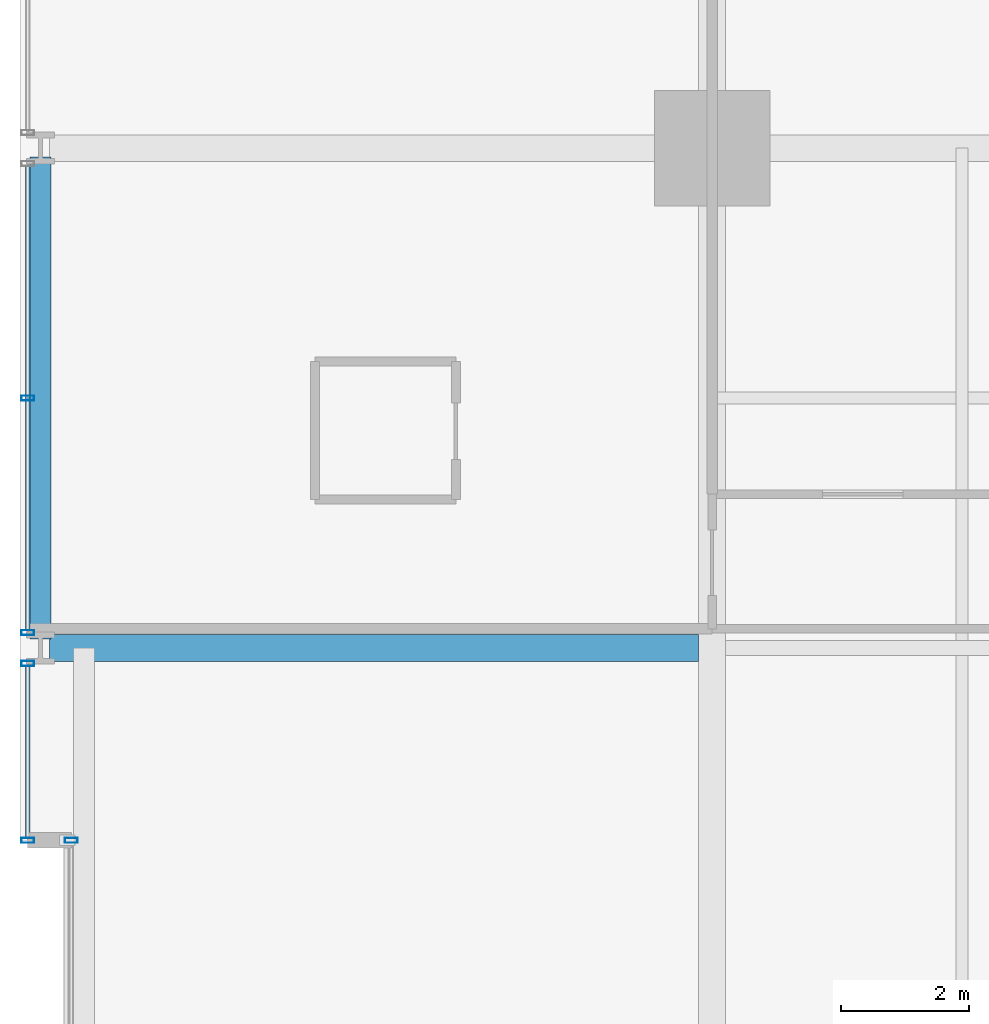
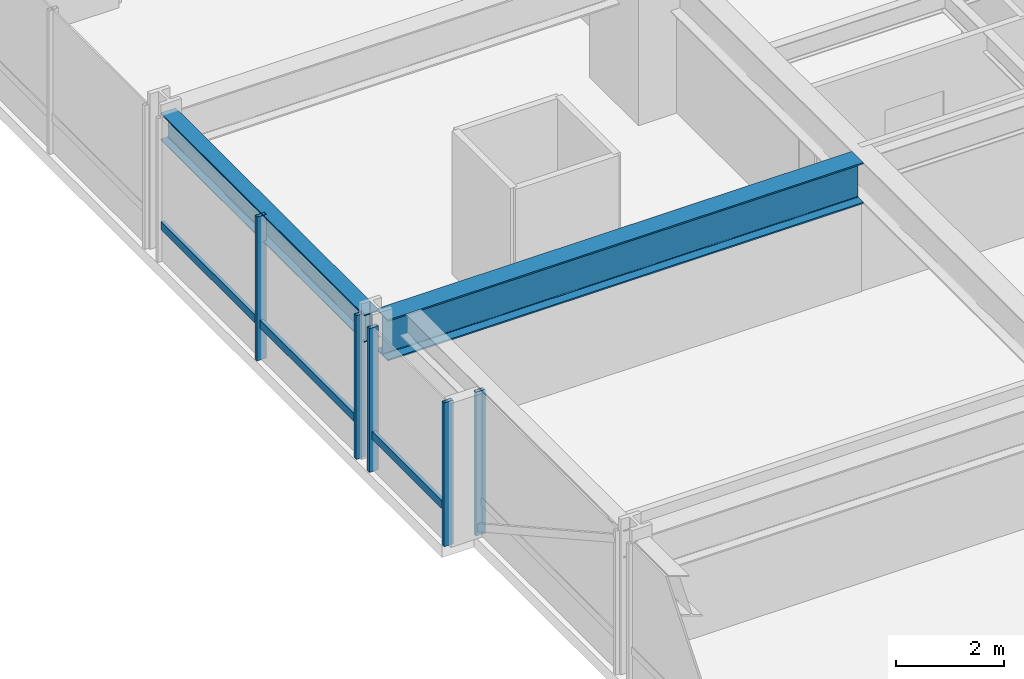
# One storey, part 17 of 38: 7 members, 2 beams, 3 elements without a shape of their own.
"""IFC4 building model written with IfcOpenShell, lengths in metres."""

from ifc_helpers import new_model, si_unit, direction, frame, origin, origin_2d, place, context, subcontext, project, spatial, hollow_rectangle, i_section, extrude, material, layer, layer_set, material_profile, profile_set, type_object, element, aggregate, save


model = new_model("IFC4")

# Units and contexts
model_context = context("Model", 3, precision=1e-05, world=origin(), true_north=direction((0.0, 1.0)))
body_context = subcontext(model_context, "Body", "Model", "MODEL_VIEW")
ifc_project = project(units=[si_unit("LENGTHUNIT", "METRE"), si_unit("AREAUNIT", "SQUARE_METRE"), si_unit("VOLUMEUNIT", "CUBIC_METRE"), si_unit("PLANEANGLEUNIT", "RADIAN"), si_unit("MASSUNIT", "GRAM", prefix="KILO")], contexts=[model_context])

# Site, building, storey
site_placement = place(None, origin())
site = spatial("IfcSite", under=ifc_project, at=site_placement, CompositionType="ELEMENT")
building_placement = place(site_placement, origin())
building = spatial("IfcBuilding", under=site, at=building_placement, Name="Drelvath Grand Hotel", CompositionType="ELEMENT")
storey_placement = place(building_placement, frame((0.0, 0.0, 50.699951171875)))
storey = spatial("IfcBuildingStorey", under=building, at=storey_placement, Name="L11", CompositionType="ELEMENT", Elevation=50.699951171875)

# Curtain wall, member
ifc_material_1 = material(Name="Warm Bronze Anodised Aluminium Frame", Category="aluminium")
ifc_layer = layer(ifc_material_1, 0.199951171875)
ifc_layer_set = layer_set([ifc_layer], Name="Warm Bronze Anodised Aluminium Frame")
curtain_wall_type = type_object("IfcCurtainWallType", Name="Stick Curtain Wall CW-02 Warm Bronze Low-Rise", PredefinedType="NOTDEFINED", material=ifc_layer_set)
curtain_wall_1_placement = place(storey_placement, origin())
curtain_wall_1 = element("IfcCurtainWall", 1, at=curtain_wall_1_placement, inside=storey, type_object=curtain_wall_type, Name="L11 CW-02 Curtain Wall CW02-L11-WN1", PredefinedType="NOTDEFINED")
ifc_material_profile_1 = material_profile(ifc_material_1, hollow_rectangle(XDim=0.074951171875, YDim=0.179931640625, WallThickness=0.0048828125, at=origin_2d()), Name="HSS180X75X5")
ifc_profile_set_1 = profile_set([ifc_material_profile_1], Name="Warm Bronze Anodised Aluminium Frame")
member_type_1 = type_object("IfcMemberType", Name="Curtain Wall Horizontal Transom CW-02 HSS180X75X5", PredefinedType="USERDEFINED", material=ifc_profile_set_1)
member_1_placement = place(storey_placement, frame((-26.8798828125, 32.43994140625, 0.81005859375), z_axis=(0.0, 1.0, 0.0), x_axis=(-1.0, 0.0, 0.0)))
member_1 = element("IfcMember", 2, at=member_1_placement, type_object=member_type_1, Name="CW02-L11-WN1 Sill Transom", ObjectType="TRANSOM", PredefinedType="USERDEFINED", context=body_context, shape_type="SweptSolid", body=[
    extrude(hollow_rectangle(XDim=0.074951171875, YDim=0.179931640625, WallThickness=0.0048828125, at=origin_2d()), origin(), (0.0, 0.0, 1.0), 2.67919921875),
])

curtain_wall_2_placement = place(storey_placement, origin())
curtain_wall_2 = element("IfcCurtainWall", 3, at=curtain_wall_2_placement, inside=storey, type_object=curtain_wall_type, Name="L11 CW-02 Curtain Wall CW02-L11-WN2", PredefinedType="NOTDEFINED")
member_2_placement = place(storey_placement, frame((-26.8798828125, 35.680908203125, 0.81005859375), z_axis=(0.0, 1.0, 0.0), x_axis=(-1.0, 0.0, 0.0)))
member_2 = element("IfcMember", 4, at=member_2_placement, type_object=member_type_1, Name="CW02-L11-WN2 Sill Transom", ObjectType="TRANSOM", PredefinedType="USERDEFINED", context=body_context, shape_type="SweptSolid", body=[
    extrude(hollow_rectangle(XDim=0.074951171875, YDim=0.179931640625, WallThickness=0.0048828125, at=origin_2d()), origin(), (0.0, 0.0, 1.0), 7.23828125),
])

curtain_wall_3_placement = place(storey_placement, origin())
curtain_wall_3 = element("IfcCurtainWall", 5, at=curtain_wall_3_placement, inside=storey, type_object=curtain_wall_type, Name="L11 CW-02 Curtain Wall CW02-L11-WM2", PredefinedType="NOTDEFINED")
ifc_material_profile_2 = material_profile(ifc_material_1, hollow_rectangle(XDim=0.080078125, YDim=0.199951171875, WallThickness=0.0048828125, at=origin_2d()), Name="HSS200X80X5")
ifc_profile_set_2 = profile_set([ifc_material_profile_2], Name="Warm Bronze Anodised Aluminium Frame")
member_type_2 = type_object("IfcMemberType", Name="Curtain Wall Vertical Mullion CW-02 HSS200X80X5", PredefinedType="MULLION", material=ifc_profile_set_2)
member_3_placement = place(storey_placement, frame((-26.199951171875, 32.39990234375, 0.0), z_axis=(0.0, 0.0, 1.0), x_axis=(0.0, 1.0, 0.0)))
member_3 = element("IfcMember", 6, at=member_3_placement, type_object=member_type_2, Name="CW02-L11-WM2 Mullion 2", PredefinedType="MULLION", context=body_context, shape_type="SweptSolid", body=[
    extrude(hollow_rectangle(XDim=0.080078125, YDim=0.199951171875, WallThickness=0.0048828125, at=origin_2d()), origin(), (0.0, 0.0, 1.0), 3.239990234375),
])
aggregate(curtain_wall_3, [member_3])

# Member
member_4_placement = place(storey_placement, frame((-26.8798828125, 32.39990234375, 0.0), z_axis=(0.0, 0.0, 1.0), x_axis=(0.0, 1.0, 0.0)))
member_4 = element("IfcMember", 7, at=member_4_placement, type_object=member_type_2, Name="CW02-L11-WN1 Mullion 1", PredefinedType="MULLION", context=body_context, shape_type="SweptSolid", body=[
    extrude(hollow_rectangle(XDim=0.080078125, YDim=0.199951171875, WallThickness=0.0048828125, at=origin_2d()), origin(), (0.0, 0.0, 1.0), 3.239990234375),
])

member_5_placement = place(storey_placement, frame((-26.8798828125, 35.1591796875, 0.0), z_axis=(0.0, 0.0, 1.0), x_axis=(0.0, 1.0, 0.0)))
member_5 = element("IfcMember", 8, at=member_5_placement, type_object=member_type_2, Name="CW02-L11-WN1 Mullion 2", PredefinedType="MULLION", context=body_context, shape_type="SweptSolid", body=[
    extrude(hollow_rectangle(XDim=0.080078125, YDim=0.199951171875, WallThickness=0.0048828125, at=origin_2d()), origin(), (0.0, 0.0, 1.0), 3.239990234375),
])

aggregate(curtain_wall_1, [member_4, member_5, member_1])

member_6_placement = place(storey_placement, frame((-26.8798828125, 35.640869140625, 0.0), z_axis=(0.0, 0.0, 1.0), x_axis=(0.0, 1.0, 0.0)))
member_6 = element("IfcMember", 9, at=member_6_placement, type_object=member_type_2, Name="CW02-L11-WN2 Mullion 1", PredefinedType="MULLION", context=body_context, shape_type="SweptSolid", body=[
    extrude(hollow_rectangle(XDim=0.080078125, YDim=0.199951171875, WallThickness=0.0048828125, at=origin_2d()), origin(), (0.0, 0.0, 1.0), 3.239990234375),
])

member_7_placement = place(storey_placement, frame((-26.8798828125, 39.300048828125, 0.0), z_axis=(0.0, 0.0, 1.0), x_axis=(0.0, 1.0, 0.0)))
member_7 = element("IfcMember", 10, at=member_7_placement, type_object=member_type_2, Name="CW02-L11-WN2 Mullion 2", PredefinedType="MULLION", context=body_context, shape_type="SweptSolid", body=[
    extrude(hollow_rectangle(XDim=0.080078125, YDim=0.199951171875, WallThickness=0.0048828125, at=origin_2d()), origin(), (0.0, 0.0, 1.0), 3.239990234375),
])

aggregate(curtain_wall_2, [member_6, member_7, member_2])

# Beams
ifc_material_2 = material(Name="Steel ASTM A992 Gr 50", Category="steel")
ifc_material_profile_3 = material_profile(ifc_material_2, i_section(OverallWidth=0.323974609375, OverallDepth=0.611083984375, WebThickness=0.0126953125, FlangeThickness=0.01904296875, FilletRadius=0.02197265625, at=origin_2d()), Name="W24X104")
ifc_profile_set_3 = profile_set([ifc_material_profile_3], Name="Steel ASTM A992 Gr 50")
beam_type_1 = type_object("IfcBeamType", Name="Perimeter Spandrel Beam W24X104", PredefinedType="SPANDREL", material=ifc_profile_set_3)
beam_1_placement = place(storey_placement, frame((-26.679931640625, 35.5400390625, 2.9345703125), z_axis=(0.0, 1.0, 0.0), x_axis=(-1.0, 0.0, 0.0)))
element("IfcBeam", 11, at=beam_1_placement, inside=storey, type_object=beam_type_1, Name="L11 Spandrel West N", PredefinedType="SPANDREL", context=body_context, shape_type="SweptSolid", body=[
    extrude(i_section(OverallWidth=0.323974609375, OverallDepth=0.611083984375, WebThickness=0.0126953125, FlangeThickness=0.01904296875, FilletRadius=0.02197265625, at=origin_2d()), origin(), (0.0, 0.0, 1.0), 7.52001953125),
])
ifc_material_profile_4 = material_profile(ifc_material_2, i_section(OverallWidth=0.418212890625, OverallDepth=0.926513671875, WebThickness=0.019287109375, FlangeThickness=0.031982421875, FilletRadius=0.028076171875, at=origin_2d()), Name="W36X231")
ifc_profile_set_4 = profile_set([ifc_material_profile_4], Name="Steel ASTM A992 Gr 50")
beam_type_2 = type_object("IfcBeamType", Name="Primary Floor Girder W36X231", PredefinedType="BEAM", material=ifc_profile_set_4)
beam_2_placement = place(storey_placement, frame((-26.5400390625, 35.39990234375, 2.77685546875), z_axis=(1.0, 0.0, 0.0), x_axis=(0.0, 1.0, 0.0)))
element("IfcBeam", 12, at=beam_2_placement, inside=storey, type_object=beam_type_2, Name="L11 West Wing Girder F", PredefinedType="BEAM", context=body_context, shape_type="SweptSolid", body=[
    extrude(i_section(OverallWidth=0.418212890625, OverallDepth=0.926513671875, WebThickness=0.019287109375, FlangeThickness=0.031982421875, FilletRadius=0.028076171875, at=origin_2d()), origin(), (0.0, 0.0, 1.0), 10.130859375),
])

save(model, "model.ifc")
